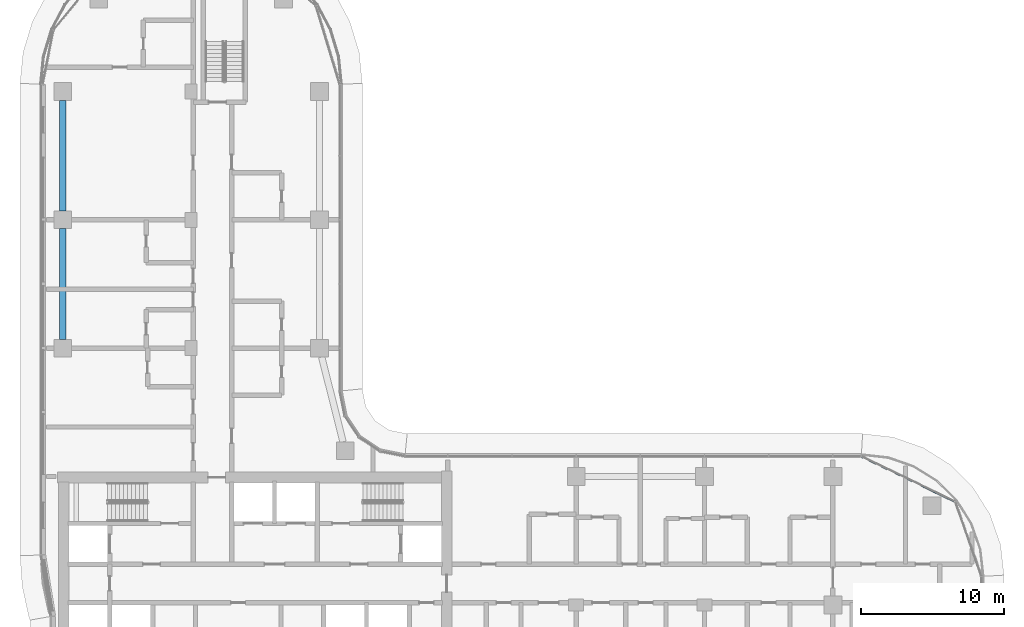
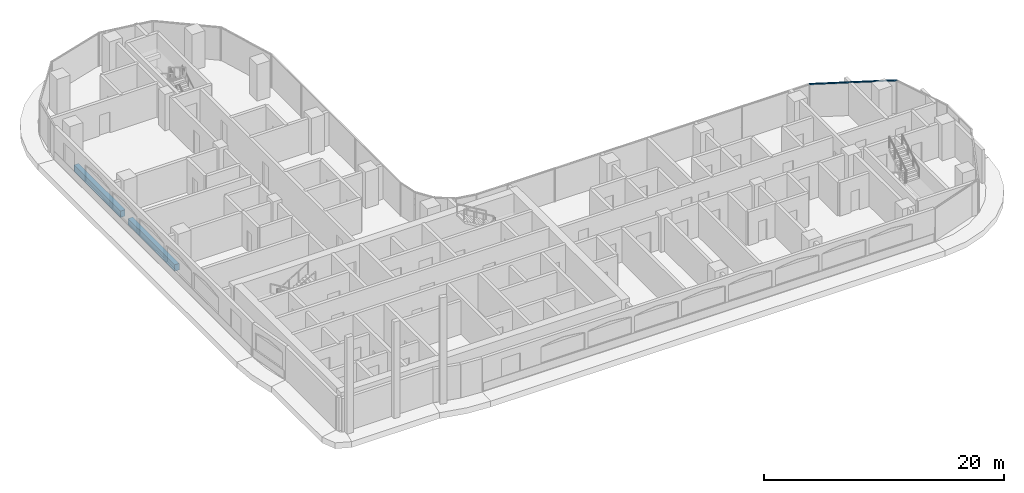
# One storey, part 5 of 25: 2 beams, 1 member, 1 element without a shape of its own.
"""IFC4 building model written with IfcOpenShell, lengths in metres."""

from ifc_helpers import new_model, si_unit, direction, frame, origin, origin_2d, place, context, subcontext, project, spatial, rectangle, extrude, material, material_profile, profile_set, type_object, element, aggregate, save


model = new_model("IFC4")

# Units and contexts
model_context = context("Model", 3, precision=1e-05, world=origin(), true_north=direction((0.0, 1.0)))
body_context = subcontext(model_context, "Body", "Model", "MODEL_VIEW")
ifc_project = project(units=[si_unit("LENGTHUNIT", "METRE"), si_unit("AREAUNIT", "SQUARE_METRE"), si_unit("VOLUMEUNIT", "CUBIC_METRE"), si_unit("PLANEANGLEUNIT", "RADIAN"), si_unit("MASSUNIT", "GRAM", prefix="KILO")], contexts=[model_context])

# Site, building, storey
site_placement = place(None, origin())
site = spatial("IfcSite", under=ifc_project, at=site_placement, CompositionType="ELEMENT")
building_placement = place(site_placement, origin())
building = spatial("IfcBuilding", under=site, at=building_placement, Name="Ogive Portal Towers", CompositionType="ELEMENT")
storey_placement = place(building_placement, frame((0.0, 0.0, 105.60009765625)))
storey = spatial("IfcBuildingStorey", under=building, at=storey_placement, Name="L25", CompositionType="ELEMENT", Elevation=105.60009765625)

# Curtain wall, member
ifc_material_1 = material(Name="Glass, clear low-iron insulated glazing", Category="glass")
curtain_wall_type = type_object("IfcCurtainWallType", Name="CW FRONT RIBBON 4500", PredefinedType="NOTDEFINED", material=ifc_material_1)
curtain_wall_placement = place(storey_placement, origin())
curtain_wall = element("IfcCurtainWall", 1, at=curtain_wall_placement, inside=storey, type_object=curtain_wall_type, Name="A:L25:f10:cwa", PredefinedType="NOTDEFINED")
ifc_material_2 = material(Name="Aluminium 6063 anodised", Category="aluminium")
ifc_material_profile_1 = material_profile(ifc_material_2, rectangle(XDim=0.1201171875, YDim=0.06005859375, at=origin_2d()), Name="AL 120x60")
ifc_profile_set_1 = profile_set([ifc_material_profile_1], Name="Aluminium 6063 anodised")
member_type = type_object("IfcMemberType", Name="CW TRANSOM 60x120", PredefinedType="USERDEFINED", material=ifc_profile_set_1)
member_placement = place(storey_placement, frame((94.0810546875, 37.741943359375, 3.369873046875), z_axis=(-0.900974646757, 0.433871738997, 0.0), x_axis=(-0.433871738997, -0.900974646757, 0.0)))
member = element("IfcMember", 2, at=member_placement, type_object=member_type, Name="transom", ObjectType="TRANSOM", PredefinedType="USERDEFINED", context=body_context, shape_type="SweptSolid", body=[
    extrude(rectangle(XDim=0.1201171875, YDim=0.06005859375, at=origin_2d()), origin(), (0.0, 0.0, 1.0), 7.32470703125),
])
aggregate(curtain_wall, [member])

# Beams
ifc_material_3 = material(Name="Concrete C50/60", Category="concrete")
ifc_material_profile_2 = material_profile(ifc_material_3, rectangle(XDim=0.449951171875, YDim=0.64990234375, at=origin_2d()), Name="RC 450x650")
ifc_profile_set_2 = profile_set([ifc_material_profile_2], Name="Concrete C50/60")
beam_type = type_object("IfcBeamType", Name="SPANDREL BEAM RC 450x650", PredefinedType="BEAM", material=ifc_profile_set_2)
for number, where, z_axis, x_axis, name in (
    (3, (31.5, 49.125, -0.625), (0.0, 1.0, 0.0), (-1.0, 0.0, 0.0), "Spandrel beam L25"),
    (4, (31.5, 58.125, -0.625), (0.0, 1.0, 0.0), (-1.0, 0.0, 0.0), "Spandrel beam L25"),
):
    element("IfcBeam", number, at=place(storey_placement, frame(where, z_axis=z_axis, x_axis=x_axis)), inside=storey, type_object=beam_type, Name=name, PredefinedType="BEAM", context=body_context, shape_type="SweptSolid", body=[
        extrude(rectangle(XDim=0.449951171875, YDim=0.64990234375, at=origin_2d()), origin(), (0.0, 0.0, 1.0), 7.75),
    ])

save(model, "model.ifc")
